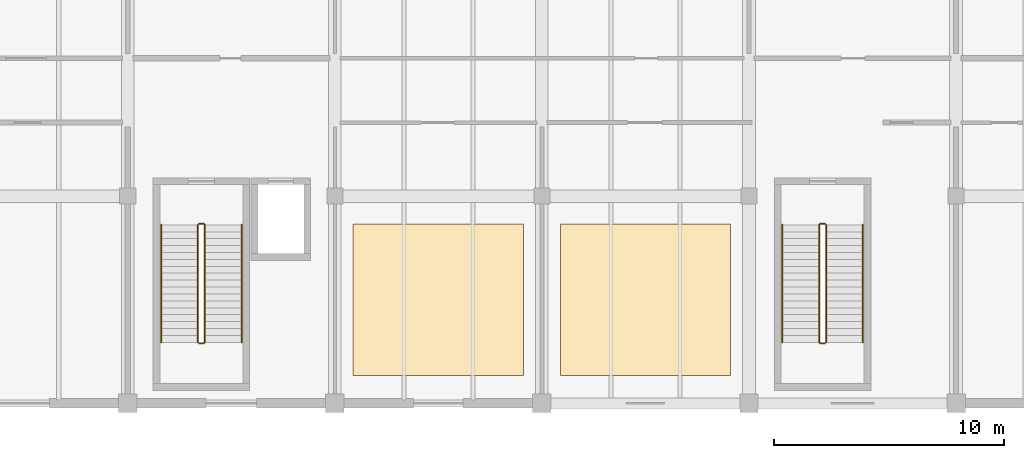
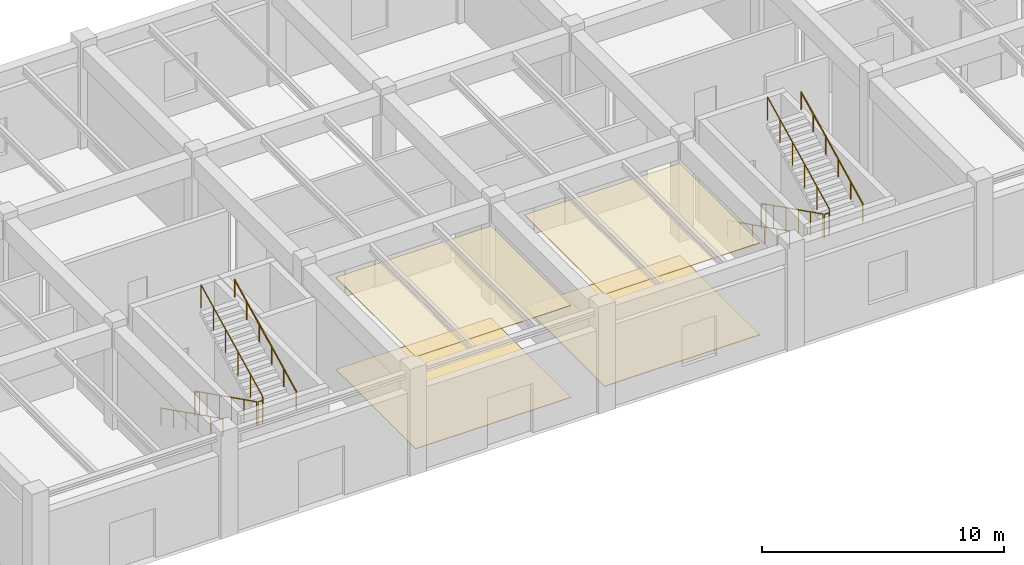
# One storey, part 67 of 76: 12 railings, 4 coverings.
"""IFC4 building model written with IfcOpenShell, lengths in metres."""

from ifc_helpers import new_model, si_unit, direction, frame, origin, origin_2d, place, context, subcontext, project, spatial, polyline, circle, outline, extrude, material, layer, layer_set, type_object, element, save


model = new_model("IFC4")

# Units and contexts
model_context = context("Model", 3, precision=1e-05, world=origin(), true_north=direction((0.0, 1.0)))
body_context = subcontext(model_context, "Body", "Model", "MODEL_VIEW")
ifc_project = project(units=[si_unit("LENGTHUNIT", "METRE"), si_unit("AREAUNIT", "SQUARE_METRE"), si_unit("VOLUMEUNIT", "CUBIC_METRE"), si_unit("PLANEANGLEUNIT", "RADIAN"), si_unit("MASSUNIT", "GRAM", prefix="KILO")], contexts=[model_context])

# Site, building, storey
site_placement = place(None, origin())
site = spatial("IfcSite", under=ifc_project, at=site_placement, CompositionType="ELEMENT")
building_placement = place(site_placement, origin())
building = spatial("IfcBuilding", under=site, at=building_placement, Name="Bozkorgan Art Gallery", CompositionType="ELEMENT")
storey_placement = place(building_placement, origin())
storey = spatial("IfcBuildingStorey", under=building, at=storey_placement, Name="L00", CompositionType="ELEMENT", Elevation=0.0)

# Coverings
ifc_material_1 = material(Name="Micro-Perforated Acoustic Gypsum Board")
ifc_layer_1 = layer(ifc_material_1, 0.034912109375, Name="Micro-Perforated Acoustic Gypsum Board")
ifc_layer_set_1 = layer_set([ifc_layer_1], Name="Micro-Perforated Acoustic Gypsum Board")
covering_type_1 = type_object("IfcCoveringType", Name="COV-CEIL-01", PredefinedType="CEILING", material=ifc_layer_set_1)
covering_1_placement = place(storey_placement, frame((0.0, 0.0, 4.625)))
element("IfcCovering", 1, at=covering_1_placement, inside=storey, type_object=covering_type_1, Name="V1 L00 acoustic gallery ceiling 1", PredefinedType="CEILING", context=body_context, shape_type="SweptSolid", body=[
    extrude(outline(polyline([(20.800048828125, 3.199951171875), (28.199951171875, 3.199951171875), (28.199951171875, 9.800048828125), (20.800048828125, 9.800048828125), (20.800048828125, 3.199951171875)])), origin(), (0.0, 0.0, 1.0), 0.034912109375),
])
covering_2_placement = place(storey_placement, frame((0.0, 0.0, 4.625)))
element("IfcCovering", 2, at=covering_2_placement, inside=storey, type_object=covering_type_1, Name="V1 L00 acoustic gallery ceiling 2", PredefinedType="CEILING", context=body_context, shape_type="SweptSolid", body=[
    extrude(outline(polyline([(29.800048828125, 3.199951171875), (37.199951171875, 3.199951171875), (37.199951171875, 9.800048828125), (29.800048828125, 9.800048828125), (29.800048828125, 3.199951171875)])), origin(), (0.0, 0.0, 1.0), 0.034912109375),
])
ifc_material_2 = material(Name="Polished Kordai Granite Terrazzo", Category="masonry")
ifc_layer_2 = layer(ifc_material_2, 0.02490234375, Name="Polished Kordai Granite Terrazzo")
ifc_layer_set_2 = layer_set([ifc_layer_2], Name="Polished Kordai Granite Terrazzo")
covering_type_2 = type_object("IfcCoveringType", Name="COV-FLR-01", PredefinedType="FLOORING", material=ifc_layer_set_2)
covering_3_placement = place(storey_placement, origin())
element("IfcCovering", 3, at=covering_3_placement, inside=storey, type_object=covering_type_2, Name="V1 L00 terrazzo gallery flooring 1", PredefinedType="FLOORING", context=body_context, shape_type="SweptSolid", body=[
    extrude(outline(polyline([(20.800048828125, 3.199951171875), (28.199951171875, 3.199951171875), (28.199951171875, 9.800048828125), (20.800048828125, 9.800048828125), (20.800048828125, 3.199951171875)])), origin(), (0.0, 0.0, 1.0), 0.02490234375),
])
covering_4_placement = place(storey_placement, origin())
element("IfcCovering", 4, at=covering_4_placement, inside=storey, type_object=covering_type_2, Name="V1 L00 terrazzo gallery flooring 2", PredefinedType="FLOORING", context=body_context, shape_type="SweptSolid", body=[
    extrude(outline(polyline([(29.800048828125, 3.199951171875), (37.199951171875, 3.199951171875), (37.199951171875, 9.800048828125), (29.800048828125, 9.800048828125), (29.800048828125, 3.199951171875)])), origin(), (0.0, 0.0, 1.0), 0.02490234375),
])

# Railings
ifc_material_3 = material(Name="Steel S355J2", Category="steel")
railing_type_1 = type_object("IfcRailingType", Name="RAIL-GRD-115", PredefinedType="GUARDRAIL", material=ifc_material_3)
railing_1_placement = place(storey_placement, frame((14.050048828125, 9.75, 0.14990234375)))
element("IfcRailing", 5, at=railing_1_placement, inside=storey, type_object=railing_type_1, Name="L00 ST1 stair guard 1", PredefinedType="GUARDRAIL", context=body_context, shape_type="SweptSolid", body=[
    extrude(circle(Radius=0.02392578125, at=origin_2d()), frame((0.0, 0.0, 1.17578125), z_axis=(0.0, -0.894427191, 0.4472135955), x_axis=(1.0, 0.0, 0.0)), (0.0, 0.0, 1.0), 5.7021484375),
    extrude(circle(Radius=0.02099609375, at=origin_2d()), origin(), (0.0, 0.0, 1.0), 1.15185546875),
    extrude(circle(Radius=0.02099609375, at=origin_2d()), frame((0.0, -1.02001953125, 0.510009765625)), (0.0, 0.0, 1.0), 1.15185546875),
    extrude(circle(Radius=0.02099609375, at=origin_2d()), frame((0.0, -2.0400390625, 1.02001953125)), (0.0, 0.0, 1.0), 1.15185546875),
    extrude(circle(Radius=0.02099609375, at=origin_2d()), frame((0.0, -3.06005859375, 1.530029296875)), (0.0, 0.0, 1.0), 1.15185546875),
    extrude(circle(Radius=0.02099609375, at=origin_2d()), frame((0.0, -4.080078125, 2.0400390625)), (0.0, 0.0, 1.0), 1.15185546875),
    extrude(circle(Radius=0.02099609375, at=origin_2d()), frame((0.0, -5.10009765625, 2.550048828125)), (0.0, 0.0, 1.0), 1.15185546875),
])
railing_2_placement = place(storey_placement, frame((14.10009765625, 4.60009765625, 2.699951171875)))
element("IfcRailing", 6, at=railing_2_placement, inside=storey, type_object=railing_type_1, Name="L00 ST1 stair guard 2", PredefinedType="GUARDRAIL", context=body_context, shape_type="SweptSolid", body=[
    extrude(circle(Radius=0.02392578125, at=origin_2d()), frame((0.0, 0.0, 1.17578125), z_axis=(1.0, 0.0, 0.0), x_axis=(0.0, 1.0, 0.0)), (0.0, 0.0, 1.0), 0.199951171875),
    extrude(circle(Radius=0.02099609375, at=origin_2d()), origin(), (0.0, 0.0, 1.0), 1.15185546875),
    extrude(circle(Radius=0.02099609375, at=origin_2d()), frame((0.199951171875, 0.0, 0.0)), (0.0, 0.0, 1.0), 1.15185546875),
])
railing_3_placement = place(storey_placement, frame((14.35009765625, 4.64990234375, 2.85009765625)))
element("IfcRailing", 7, at=railing_3_placement, inside=storey, type_object=railing_type_1, Name="L00 ST1 stair guard 3", PredefinedType="GUARDRAIL", context=body_context, shape_type="SweptSolid", body=[
    extrude(circle(Radius=0.02392578125, at=origin_2d()), frame((0.0, 0.0, 1.17578125), z_axis=(0.0, 0.89444431709, 0.44717934168), x_axis=(-1.0, 0.0, 0.0)), (0.0, 0.0, 1.0), 5.701904296875),
    extrude(circle(Radius=0.02099609375, at=origin_2d()), origin(), (0.0, 0.0, 1.0), 1.15185546875),
    extrude(circle(Radius=0.02099609375, at=origin_2d()), frame((0.0, 1.02001953125, 0.510009765625)), (0.0, 0.0, 1.0), 1.15185546875),
    extrude(circle(Radius=0.02099609375, at=origin_2d()), frame((0.0, 2.0400390625, 1.02001953125)), (0.0, 0.0, 1.0), 1.15185546875),
    extrude(circle(Radius=0.02099609375, at=origin_2d()), frame((0.0, 3.06005859375, 1.52978515625)), (0.0, 0.0, 1.0), 1.15185546875),
    extrude(circle(Radius=0.02099609375, at=origin_2d()), frame((0.0, 4.080078125, 2.039794921875)), (0.0, 0.0, 1.0), 1.15185546875),
    extrude(circle(Radius=0.02099609375, at=origin_2d()), frame((0.0, 5.10009765625, 2.5498046875)), (0.0, 0.0, 1.0), 1.15185546875),
])
railing_4_placement = place(storey_placement, frame((14.10009765625, 9.800048828125, 0.0)))
element("IfcRailing", 8, at=railing_4_placement, inside=storey, type_object=railing_type_1, Name="L00 ST1 stair guard 4", PredefinedType="GUARDRAIL", context=body_context, shape_type="SweptSolid", body=[
    extrude(circle(Radius=0.02392578125, at=origin_2d()), frame((0.0, 0.0, 1.17578125), z_axis=(1.0, 0.0, 0.0), x_axis=(0.0, 1.0, 0.0)), (0.0, 0.0, 1.0), 0.199951171875),
    extrude(circle(Radius=0.02099609375, at=origin_2d()), origin(), (0.0, 0.0, 1.0), 1.15185546875),
    extrude(circle(Radius=0.02099609375, at=origin_2d()), frame((0.199951171875, 0.0, 0.0)), (0.0, 0.0, 1.0), 1.15185546875),
])
railing_5_placement = place(storey_placement, frame((41.050048828125, 9.75, 0.14990234375)))
element("IfcRailing", 9, at=railing_5_placement, inside=storey, type_object=railing_type_1, Name="L00 ST12 stair guard 1", PredefinedType="GUARDRAIL", context=body_context, shape_type="SweptSolid", body=[
    extrude(circle(Radius=0.02392578125, at=origin_2d()), frame((0.0, 0.0, 1.17578125), z_axis=(0.0, -0.894427191, 0.4472135955), x_axis=(1.0, 0.0, 0.0)), (0.0, 0.0, 1.0), 5.7021484375),
    extrude(circle(Radius=0.02099609375, at=origin_2d()), origin(), (0.0, 0.0, 1.0), 1.15185546875),
    extrude(circle(Radius=0.02099609375, at=origin_2d()), frame((0.0, -1.02001953125, 0.510009765625)), (0.0, 0.0, 1.0), 1.15185546875),
    extrude(circle(Radius=0.02099609375, at=origin_2d()), frame((0.0, -2.0400390625, 1.02001953125)), (0.0, 0.0, 1.0), 1.15185546875),
    extrude(circle(Radius=0.02099609375, at=origin_2d()), frame((0.0, -3.06005859375, 1.530029296875)), (0.0, 0.0, 1.0), 1.15185546875),
    extrude(circle(Radius=0.02099609375, at=origin_2d()), frame((0.0, -4.080078125, 2.0400390625)), (0.0, 0.0, 1.0), 1.15185546875),
    extrude(circle(Radius=0.02099609375, at=origin_2d()), frame((0.0, -5.10009765625, 2.550048828125)), (0.0, 0.0, 1.0), 1.15185546875),
])
railing_6_placement = place(storey_placement, frame((41.10009765625, 4.60009765625, 2.699951171875)))
element("IfcRailing", 10, at=railing_6_placement, inside=storey, type_object=railing_type_1, Name="L00 ST12 stair guard 2", PredefinedType="GUARDRAIL", context=body_context, shape_type="SweptSolid", body=[
    extrude(circle(Radius=0.02392578125, at=origin_2d()), frame((0.0, 0.0, 1.17578125), z_axis=(1.0, 0.0, 0.0), x_axis=(0.0, 1.0, 0.0)), (0.0, 0.0, 1.0), 0.199951171875),
    extrude(circle(Radius=0.02099609375, at=origin_2d()), origin(), (0.0, 0.0, 1.0), 1.15185546875),
    extrude(circle(Radius=0.02099609375, at=origin_2d()), frame((0.199951171875, 0.0, 0.0)), (0.0, 0.0, 1.0), 1.15185546875),
])
railing_7_placement = place(storey_placement, frame((41.35009765625, 4.64990234375, 2.85009765625)))
element("IfcRailing", 11, at=railing_7_placement, inside=storey, type_object=railing_type_1, Name="L00 ST12 stair guard 3", PredefinedType="GUARDRAIL", context=body_context, shape_type="SweptSolid", body=[
    extrude(circle(Radius=0.02392578125, at=origin_2d()), frame((0.0, 0.0, 1.17578125), z_axis=(0.0, 0.89444431709, 0.44717934168), x_axis=(-1.0, 0.0, 0.0)), (0.0, 0.0, 1.0), 5.701904296875),
    extrude(circle(Radius=0.02099609375, at=origin_2d()), origin(), (0.0, 0.0, 1.0), 1.15185546875),
    extrude(circle(Radius=0.02099609375, at=origin_2d()), frame((0.0, 1.02001953125, 0.510009765625)), (0.0, 0.0, 1.0), 1.15185546875),
    extrude(circle(Radius=0.02099609375, at=origin_2d()), frame((0.0, 2.0400390625, 1.02001953125)), (0.0, 0.0, 1.0), 1.15185546875),
    extrude(circle(Radius=0.02099609375, at=origin_2d()), frame((0.0, 3.06005859375, 1.52978515625)), (0.0, 0.0, 1.0), 1.15185546875),
    extrude(circle(Radius=0.02099609375, at=origin_2d()), frame((0.0, 4.080078125, 2.039794921875)), (0.0, 0.0, 1.0), 1.15185546875),
    extrude(circle(Radius=0.02099609375, at=origin_2d()), frame((0.0, 5.10009765625, 2.5498046875)), (0.0, 0.0, 1.0), 1.15185546875),
])
railing_8_placement = place(storey_placement, frame((41.10009765625, 9.800048828125, 0.0)))
element("IfcRailing", 12, at=railing_8_placement, inside=storey, type_object=railing_type_1, Name="L00 ST12 stair guard 4", PredefinedType="GUARDRAIL", context=body_context, shape_type="SweptSolid", body=[
    extrude(circle(Radius=0.02392578125, at=origin_2d()), frame((0.0, 0.0, 1.17578125), z_axis=(1.0, 0.0, 0.0), x_axis=(0.0, 1.0, 0.0)), (0.0, 0.0, 1.0), 0.199951171875),
    extrude(circle(Radius=0.02099609375, at=origin_2d()), origin(), (0.0, 0.0, 1.0), 1.15185546875),
    extrude(circle(Radius=0.02099609375, at=origin_2d()), frame((0.199951171875, 0.0, 0.0)), (0.0, 0.0, 1.0), 1.15185546875),
])
railing_type_2 = type_object("IfcRailingType", Name="RAIL-HND-092", PredefinedType="HANDRAIL", material=ifc_material_3)
railing_9_placement = place(storey_placement, frame((12.449951171875, 9.75, 0.14990234375)))
element("IfcRailing", 13, at=railing_9_placement, inside=storey, type_object=railing_type_2, Name="L00 ST1 stair handrail 1", PredefinedType="HANDRAIL", context=body_context, shape_type="SweptSolid", body=[
    extrude(circle(Radius=0.02392578125, at=origin_2d()), frame((0.0, 0.0, 0.8759765625), z_axis=(0.0, -0.894427191, 0.4472135955), x_axis=(1.0, 0.0, 0.0)), (0.0, 0.0, 1.0), 5.7021484375),
    extrude(circle(Radius=0.02099609375, at=origin_2d()), origin(), (0.0, 0.0, 1.0), 0.851806640625),
    extrude(circle(Radius=0.02099609375, at=origin_2d()), frame((0.0, -1.02001953125, 0.510009765625)), (0.0, 0.0, 1.0), 0.851806640625),
    extrude(circle(Radius=0.02099609375, at=origin_2d()), frame((0.0, -2.0400390625, 1.02001953125)), (0.0, 0.0, 1.0), 0.851806640625),
    extrude(circle(Radius=0.02099609375, at=origin_2d()), frame((0.0, -3.06005859375, 1.530029296875)), (0.0, 0.0, 1.0), 0.851806640625),
    extrude(circle(Radius=0.02099609375, at=origin_2d()), frame((0.0, -4.080078125, 2.0400390625)), (0.0, 0.0, 1.0), 0.851806640625),
    extrude(circle(Radius=0.02099609375, at=origin_2d()), frame((0.0, -5.10009765625, 2.550048828125)), (0.0, 0.0, 1.0), 0.851806640625),
])
railing_10_placement = place(storey_placement, frame((15.949951171875, 4.64990234375, 2.85009765625)))
element("IfcRailing", 14, at=railing_10_placement, inside=storey, type_object=railing_type_2, Name="L00 ST1 stair handrail 2", PredefinedType="HANDRAIL", context=body_context, shape_type="SweptSolid", body=[
    extrude(circle(Radius=0.02392578125, at=origin_2d()), frame((0.0, 0.0, 0.8759765625), z_axis=(0.0, 0.89444431709, 0.44717934168), x_axis=(-1.0, 0.0, 0.0)), (0.0, 0.0, 1.0), 5.701904296875),
    extrude(circle(Radius=0.02099609375, at=origin_2d()), origin(), (0.0, 0.0, 1.0), 0.851806640625),
    extrude(circle(Radius=0.02099609375, at=origin_2d()), frame((0.0, 1.02001953125, 0.510009765625)), (0.0, 0.0, 1.0), 0.851806640625),
    extrude(circle(Radius=0.02099609375, at=origin_2d()), frame((0.0, 2.0400390625, 1.02001953125)), (0.0, 0.0, 1.0), 0.851806640625),
    extrude(circle(Radius=0.02099609375, at=origin_2d()), frame((0.0, 3.06005859375, 1.52978515625)), (0.0, 0.0, 1.0), 0.851806640625),
    extrude(circle(Radius=0.02099609375, at=origin_2d()), frame((0.0, 4.080078125, 2.039794921875)), (0.0, 0.0, 1.0), 0.851806640625),
    extrude(circle(Radius=0.02099609375, at=origin_2d()), frame((0.0, 5.10009765625, 2.5498046875)), (0.0, 0.0, 1.0), 0.851806640625),
])
railing_11_placement = place(storey_placement, frame((39.449951171875, 9.75, 0.14990234375)))
element("IfcRailing", 15, at=railing_11_placement, inside=storey, type_object=railing_type_2, Name="L00 ST12 stair handrail 1", PredefinedType="HANDRAIL", context=body_context, shape_type="SweptSolid", body=[
    extrude(circle(Radius=0.02392578125, at=origin_2d()), frame((0.0, 0.0, 0.8759765625), z_axis=(0.0, -0.894427191, 0.4472135955), x_axis=(1.0, 0.0, 0.0)), (0.0, 0.0, 1.0), 5.7021484375),
    extrude(circle(Radius=0.02099609375, at=origin_2d()), origin(), (0.0, 0.0, 1.0), 0.851806640625),
    extrude(circle(Radius=0.02099609375, at=origin_2d()), frame((0.0, -1.02001953125, 0.510009765625)), (0.0, 0.0, 1.0), 0.851806640625),
    extrude(circle(Radius=0.02099609375, at=origin_2d()), frame((0.0, -2.0400390625, 1.02001953125)), (0.0, 0.0, 1.0), 0.851806640625),
    extrude(circle(Radius=0.02099609375, at=origin_2d()), frame((0.0, -3.06005859375, 1.530029296875)), (0.0, 0.0, 1.0), 0.851806640625),
    extrude(circle(Radius=0.02099609375, at=origin_2d()), frame((0.0, -4.080078125, 2.0400390625)), (0.0, 0.0, 1.0), 0.851806640625),
    extrude(circle(Radius=0.02099609375, at=origin_2d()), frame((0.0, -5.10009765625, 2.550048828125)), (0.0, 0.0, 1.0), 0.851806640625),
])
railing_12_placement = place(storey_placement, frame((42.949951171875, 4.64990234375, 2.85009765625)))
element("IfcRailing", 16, at=railing_12_placement, inside=storey, type_object=railing_type_2, Name="L00 ST12 stair handrail 2", PredefinedType="HANDRAIL", context=body_context, shape_type="SweptSolid", body=[
    extrude(circle(Radius=0.02392578125, at=origin_2d()), frame((0.0, 0.0, 0.8759765625), z_axis=(0.0, 0.89444431709, 0.44717934168), x_axis=(-1.0, 0.0, 0.0)), (0.0, 0.0, 1.0), 5.701904296875),
    extrude(circle(Radius=0.02099609375, at=origin_2d()), origin(), (0.0, 0.0, 1.0), 0.851806640625),
    extrude(circle(Radius=0.02099609375, at=origin_2d()), frame((0.0, 1.02001953125, 0.510009765625)), (0.0, 0.0, 1.0), 0.851806640625),
    extrude(circle(Radius=0.02099609375, at=origin_2d()), frame((0.0, 2.0400390625, 1.02001953125)), (0.0, 0.0, 1.0), 0.851806640625),
    extrude(circle(Radius=0.02099609375, at=origin_2d()), frame((0.0, 3.06005859375, 1.52978515625)), (0.0, 0.0, 1.0), 0.851806640625),
    extrude(circle(Radius=0.02099609375, at=origin_2d()), frame((0.0, 4.080078125, 2.039794921875)), (0.0, 0.0, 1.0), 0.851806640625),
    extrude(circle(Radius=0.02099609375, at=origin_2d()), frame((0.0, 5.10009765625, 2.5498046875)), (0.0, 0.0, 1.0), 0.851806640625),
])

save(model, "model.ifc")
